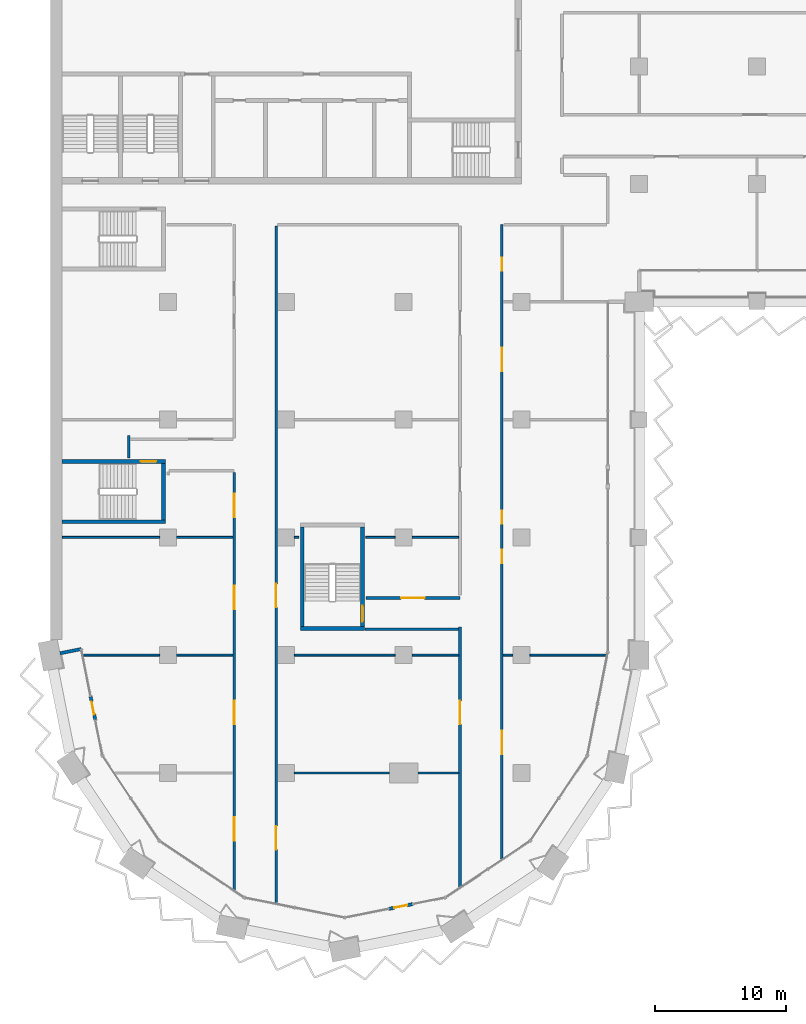
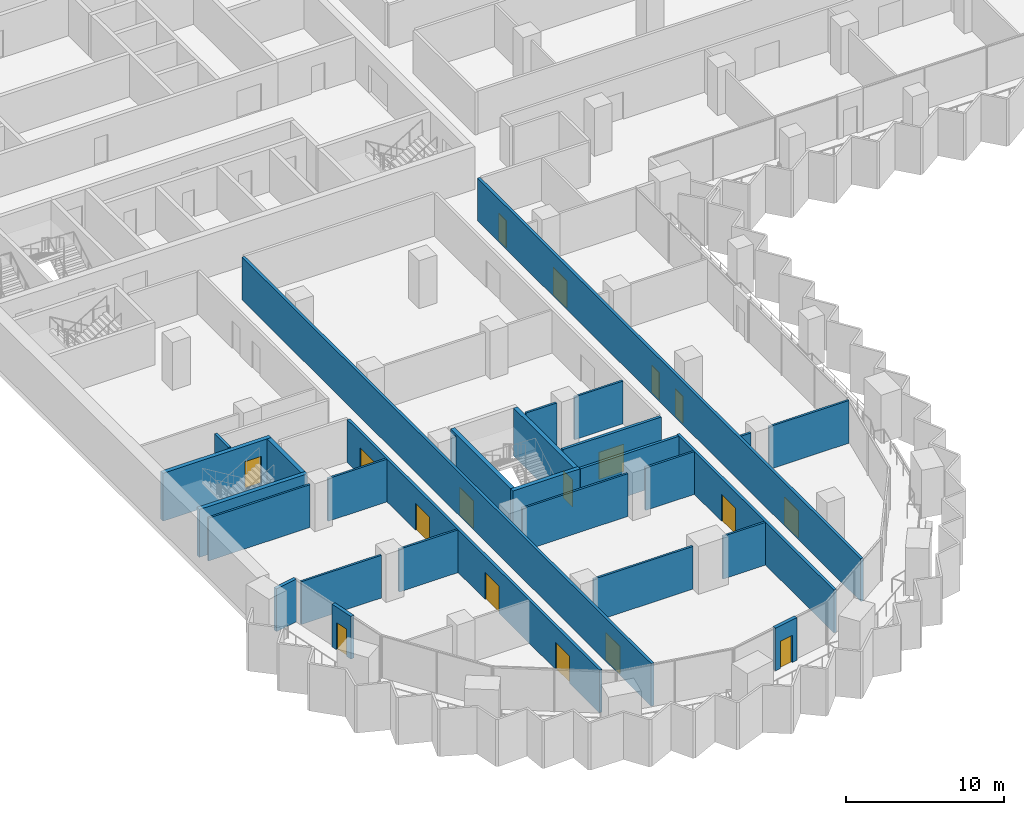
# One storey, part 9 of 23: 29 walls, 17 doors, 17 openings.
"""IFC4 building model written with IfcOpenShell, lengths in metres."""

from ifc_helpers import new_model, si_unit, direction, frame, frame_2d, origin, place, context, subcontext, project, spatial, rectangle, extrude, material, layer, layer_set, type_object, element, fill, save


model = new_model("IFC4")

# Units and contexts
model_context = context("Model", 3, precision=1e-05, world=origin(), true_north=direction((0.0, 1.0)))
body_context = subcontext(model_context, "Body", "Model", "MODEL_VIEW")
ifc_project = project(units=[si_unit("LENGTHUNIT", "METRE"), si_unit("AREAUNIT", "SQUARE_METRE"), si_unit("VOLUMEUNIT", "CUBIC_METRE"), si_unit("PLANEANGLEUNIT", "RADIAN"), si_unit("MASSUNIT", "GRAM", prefix="KILO")], contexts=[model_context])

# Site, building, storey
site_placement = place(None, origin())
site = spatial("IfcSite", under=ifc_project, at=site_placement, CompositionType="ELEMENT")
building_placement = place(site_placement, origin())
building = spatial("IfcBuilding", under=site, at=building_placement, Name="Hunhe Ridgeline Campus", CompositionType="ELEMENT")
storey_placement = place(building_placement, frame((0.0, 0.0, 110.699951171875)))
storey = spatial("IfcBuildingStorey", under=building, at=storey_placement, Name="L27", CompositionType="ELEMENT", Elevation=110.699951171875)

# Walls
ifc_material_1 = material(Name="Concrete C30", Category="concrete")
ifc_layer_1 = layer(ifc_material_1, 0.25)
ifc_layer_set_1 = layer_set([ifc_layer_1], Name="Corner return wall 250 Concrete C30")
wall_type_1 = type_object("IfcWallType", Name="Corner return wall 250 Concrete C30", PredefinedType="SOLIDWALL", material=ifc_layer_set_1)
wall_1_placement = place(storey_placement, frame((0.7353515625, 27.14697265625, 0.0), z_axis=(0.0, 0.0, 1.0), x_axis=(0.980824468215, 0.194893208067, 0.0)))
element("IfcWall", 1, at=wall_1_placement, inside=storey, type_object=wall_type_1, Name="Corner return wall 1", PredefinedType="SOLIDWALL", context=body_context, shape_type="SweptSolid", body=[
    extrude(rectangle(XDim=1.651123046875, YDim=0.25, at=frame_2d((0.82568359375, 0.0))), origin(), (0.0, 0.0, 1.0), 3.300048828125),
])
ifc_material_2 = material(Name="Gypsum board partition")
ifc_layer_2 = layer(ifc_material_2, 0.199951171875)
ifc_layer_set_2 = layer_set([ifc_layer_2], Name="Corridor partition 200 gypsum board on steel studs")
wall_type_2 = type_object("IfcWallType", Name="Corridor partition 200 gypsum board on steel studs", PredefinedType="PARTITIONING", material=ifc_layer_set_2)
wall_2_placement = place(storey_placement, frame((31.199951171875, 28.97509765625, 0.0), z_axis=(0.0, 0.0, 1.0), x_axis=(-1.0, 0.0, 0.0)))
element("IfcWall", 2, at=wall_2_placement, inside=storey, type_object=wall_type_2, Name="F-L27-wall-011", PredefinedType="PARTITIONING", context=body_context, shape_type="SweptSolid", body=[
    extrude(rectangle(XDim=7.169921875, YDim=0.199951171875, at=frame_2d((3.5849609375, 0.0))), origin(), (0.0, 0.0, 1.0), 3.300048828125),
])

# Wall, opening, door
wall_3_placement = place(storey_placement, frame((24.10400390625, 31.375, 0.0), z_axis=(0.0, 0.0, 1.0), x_axis=(1.0, 0.0, 0.0)))
wall_3 = element("IfcWall", 3, at=wall_3_placement, inside=storey, type_object=wall_type_2, Name="F-L27-wall-012", PredefinedType="PARTITIONING", context=body_context, shape_type="SweptSolid", body=[
    extrude(rectangle(XDim=7.196044921875, YDim=0.199951171875, at=frame_2d((3.59814453125, 0.0))), origin(), (0.0, 0.0, 1.0), 3.300048828125),
])
opening_1_placement = place(wall_3_placement, frame((2.697998046875, 0.0, 0.0)))
opening_1 = element("IfcOpeningElement", 4, at=opening_1_placement, cuts=wall_3, Name="Opening RD2-007", PredefinedType="OPENING", context=body_context, shape_type="SweptSolid", body=[
    extrude(rectangle(XDim=1.800048828125, YDim=2.10009765625, at=frame_2d((0.89990234375, 1.050048828125))), frame((0.0, 0.10009765625, 0.0), z_axis=(0.0, -1.0, 0.0), x_axis=(1.0, 0.0, 0.0)), (0.0, 0.0, 1.0), 0.199951171875),
])
ifc_material_3 = material(Name="Timber door leaf", Category="wood")
door_type_1 = type_object("IfcDoorType", Name="Double fire door 1800x2100 timber FD60", OperationType="DOUBLE_DOOR_SINGLE_SWING", PredefinedType="DOOR", material=ifc_material_3)
door_1_placement = place(opening_1_placement, origin())
door_1 = element("IfcDoor", 5, at=door_1_placement, inside=storey, type_object=door_type_1, Name="F-L27-door-007", OperationType="DOUBLE_DOOR_SINGLE_SWING", OverallHeight=2.10009765625, OverallWidth=1.800048828125, PredefinedType="DOOR", context=body_context, shape_type="SweptSolid", body=[
    extrude(rectangle(XDim=1.800048828125, YDim=2.10009765625, at=frame_2d((0.89990234375, 1.050048828125))), frame((0.0, 0.02490234375, 0.0), z_axis=(0.0, -1.0, 0.0), x_axis=(1.0, 0.0, 0.0)), (0.0, 0.0, 1.0), 0.050048828125),
])
fill(opening_1, door_1)

# Wall
wall_4_placement = place(storey_placement, frame((6.0, 42.053955078125, 0.0), z_axis=(0.0, 0.0, 1.0), x_axis=(0.0, 1.0, 0.0)))
element("IfcWall", 6, at=wall_4_placement, inside=storey, type_object=wall_type_2, Name="F-L27-wall-039", PredefinedType="PARTITIONING", context=body_context, shape_type="SweptSolid", body=[
    extrude(rectangle(XDim=1.74609375, YDim=0.199951171875, at=frame_2d((0.873046875, 0.0))), origin(), (0.0, 0.0, 1.0), 3.300048828125),
])

# Wall, openings, doors
wall_5_placement = place(storey_placement, frame((14.050048828125, 9.05810546875, 0.0), z_axis=(0.0, 0.0, 1.0), x_axis=(0.0, 1.0, 0.0)))
wall_5 = element("IfcWall", 7, at=wall_5_placement, inside=storey, type_object=wall_type_2, Name="F-L27-wall-041", PredefinedType="PARTITIONING", context=body_context, shape_type="SweptSolid", body=[
    extrude(rectangle(XDim=31.90087890625, YDim=0.199951171875, at=frame_2d((15.950439453125, 0.0))), origin(), (0.0, 0.0, 1.0), 3.300048828125),
])
opening_2_placement = place(wall_5_placement, frame((3.7470703125, 0.0, 0.0)))
opening_2 = element("IfcOpeningElement", 8, at=opening_2_placement, cuts=wall_5, Name="Opening RD2-002", PredefinedType="OPENING", context=body_context, shape_type="SweptSolid", body=[
    extrude(rectangle(XDim=1.800048828125, YDim=2.10009765625, at=frame_2d((0.89990234375, 1.050048828125))), frame((0.0, 0.10009765625, 0.0), z_axis=(0.0, -1.0, 0.0), x_axis=(1.0, 0.0, 0.0)), (0.0, 0.0, 1.0), 0.199951171875),
])
opening_3_placement = place(wall_5_placement, frame((12.6640625, 0.0, 0.0)))
opening_3 = element("IfcOpeningElement", 9, at=opening_3_placement, cuts=wall_5, Name="Opening RD2-004", PredefinedType="OPENING", context=body_context, shape_type="SweptSolid", body=[
    extrude(rectangle(XDim=1.800048828125, YDim=2.10009765625, at=frame_2d((0.89990234375, 1.050048828125))), frame((0.0, 0.10009765625, 0.0), z_axis=(0.0, -1.0, 0.0), x_axis=(1.0, 0.0, 0.0)), (0.0, 0.0, 1.0), 0.199951171875),
])
opening_4_placement = place(wall_5_placement, frame((21.455810546875, 0.0, 0.0)))
opening_4 = element("IfcOpeningElement", 10, at=opening_4_placement, cuts=wall_5, Name="Opening RD2-006", PredefinedType="OPENING", context=body_context, shape_type="SweptSolid", body=[
    extrude(rectangle(XDim=1.800048828125, YDim=2.10009765625, at=frame_2d((0.89990234375, 1.050048828125))), frame((0.0, 0.10009765625, 0.0), z_axis=(0.0, -1.0, 0.0), x_axis=(1.0, 0.0, 0.0)), (0.0, 0.0, 1.0), 0.199951171875),
])
opening_5_placement = place(wall_5_placement, frame((28.489013671875, 0.0, 0.0)))
opening_5 = element("IfcOpeningElement", 11, at=opening_5_placement, cuts=wall_5, Name="Opening RD2-011", PredefinedType="OPENING", context=body_context, shape_type="SweptSolid", body=[
    extrude(rectangle(XDim=1.800048828125, YDim=2.10009765625, at=frame_2d((0.89990234375, 1.050048828125))), frame((0.0, 0.10009765625, 0.0), z_axis=(0.0, -1.0, 0.0), x_axis=(1.0, 0.0, 0.0)), (0.0, 0.0, 1.0), 0.199951171875),
])
door_2_placement = place(opening_2_placement, origin())
door_2 = element("IfcDoor", 12, at=door_2_placement, inside=storey, type_object=door_type_1, Name="F-L27-door-002", OperationType="DOUBLE_DOOR_SINGLE_SWING", OverallHeight=2.10009765625, OverallWidth=1.800048828125, PredefinedType="DOOR", context=body_context, shape_type="SweptSolid", body=[
    extrude(rectangle(XDim=1.800048828125, YDim=2.10009765625, at=frame_2d((0.89990234375, 1.050048828125))), frame((0.0, 0.02490234375, 0.0), z_axis=(0.0, -1.0, 0.0), x_axis=(1.0, 0.0, 0.0)), (0.0, 0.0, 1.0), 0.050048828125),
])
fill(opening_2, door_2)
door_3_placement = place(opening_3_placement, origin())
door_3 = element("IfcDoor", 13, at=door_3_placement, inside=storey, type_object=door_type_1, Name="F-L27-door-004", OperationType="DOUBLE_DOOR_SINGLE_SWING", OverallHeight=2.10009765625, OverallWidth=1.800048828125, PredefinedType="DOOR", context=body_context, shape_type="SweptSolid", body=[
    extrude(rectangle(XDim=1.800048828125, YDim=2.10009765625, at=frame_2d((0.89990234375, 1.050048828125))), frame((0.0, 0.02490234375, 0.0), z_axis=(0.0, -1.0, 0.0), x_axis=(1.0, 0.0, 0.0)), (0.0, 0.0, 1.0), 0.050048828125),
])
fill(opening_3, door_3)
door_4_placement = place(opening_4_placement, origin())
door_4 = element("IfcDoor", 14, at=door_4_placement, inside=storey, type_object=door_type_1, Name="F-L27-door-006", OperationType="DOUBLE_DOOR_SINGLE_SWING", OverallHeight=2.10009765625, OverallWidth=1.800048828125, PredefinedType="DOOR", context=body_context, shape_type="SweptSolid", body=[
    extrude(rectangle(XDim=1.800048828125, YDim=2.10009765625, at=frame_2d((0.89990234375, 1.050048828125))), frame((0.0, 0.02490234375, 0.0), z_axis=(0.0, -1.0, 0.0), x_axis=(1.0, 0.0, 0.0)), (0.0, 0.0, 1.0), 0.050048828125),
])
fill(opening_4, door_4)
door_5_placement = place(opening_5_placement, origin())
door_5 = element("IfcDoor", 15, at=door_5_placement, inside=storey, type_object=door_type_1, Name="F-L27-door-011", OperationType="DOUBLE_DOOR_SINGLE_SWING", OverallHeight=2.10009765625, OverallWidth=1.800048828125, PredefinedType="DOOR", context=body_context, shape_type="SweptSolid", body=[
    extrude(rectangle(XDim=1.800048828125, YDim=2.10009765625, at=frame_2d((0.89990234375, 1.050048828125))), frame((0.0, 0.02490234375, 0.0), z_axis=(0.0, -1.0, 0.0), x_axis=(1.0, 0.0, 0.0)), (0.0, 0.0, 1.0), 0.050048828125),
])
fill(opening_5, door_5)

wall_6_placement = place(storey_placement, frame((17.25, 59.800048828125, 0.0), z_axis=(0.0, 0.0, 1.0), x_axis=(0.0, -1.0, 0.0)))
wall_6 = element("IfcWall", 16, at=wall_6_placement, inside=storey, type_object=wall_type_2, Name="F-L27-wall-043", PredefinedType="PARTITIONING", context=body_context, shape_type="SweptSolid", body=[
    extrude(rectangle(XDim=51.752685546875, YDim=0.199951171875, at=frame_2d((25.87646484375, 0.0))), origin(), (0.0, 0.0, 1.0), 3.300048828125),
])
opening_6_placement = place(wall_6_placement, frame((45.852294921875, 0.0, 0.0)))
opening_6 = element("IfcOpeningElement", 17, at=opening_6_placement, cuts=wall_6, Name="Opening RD2-001", PredefinedType="OPENING", context=body_context, shape_type="SweptSolid", body=[
    extrude(rectangle(XDim=1.800048828125, YDim=2.10009765625, at=frame_2d((0.89990234375, 1.050048828125))), frame((0.0, 0.10009765625, 0.0), z_axis=(0.0, -1.0, 0.0), x_axis=(1.0, 0.0, 0.0)), (0.0, 0.0, 1.0), 0.199951171875),
])
opening_7_placement = place(wall_6_placement, frame((27.351318359375, 0.0, 0.0)))
opening_7 = element("IfcOpeningElement", 18, at=opening_7_placement, cuts=wall_6, Name="Opening RD2-008", PredefinedType="OPENING", context=body_context, shape_type="SweptSolid", body=[
    extrude(rectangle(XDim=1.800048828125, YDim=2.10009765625, at=frame_2d((0.89990234375, 1.050048828125))), frame((0.0, 0.10009765625, 0.0), z_axis=(0.0, -1.0, 0.0), x_axis=(1.0, 0.0, 0.0)), (0.0, 0.0, 1.0), 0.199951171875),
])
door_6_placement = place(opening_6_placement, origin())
door_6 = element("IfcDoor", 19, at=door_6_placement, inside=storey, type_object=door_type_1, Name="F-L27-door-001", OperationType="DOUBLE_DOOR_SINGLE_SWING", OverallHeight=2.10009765625, OverallWidth=1.800048828125, PredefinedType="DOOR", context=body_context, shape_type="SweptSolid", body=[
    extrude(rectangle(XDim=1.800048828125, YDim=2.10009765625, at=frame_2d((0.89990234375, 1.050048828125))), frame((0.0, 0.02490234375, 0.0), z_axis=(0.0, -1.0, 0.0), x_axis=(1.0, 0.0, 0.0)), (0.0, 0.0, 1.0), 0.050048828125),
])
fill(opening_6, door_6)
door_7_placement = place(opening_7_placement, origin())
door_7 = element("IfcDoor", 20, at=door_7_placement, inside=storey, type_object=door_type_1, Name="F-L27-door-008", OperationType="DOUBLE_DOOR_SINGLE_SWING", OverallHeight=2.10009765625, OverallWidth=1.800048828125, PredefinedType="DOOR", context=body_context, shape_type="SweptSolid", body=[
    extrude(rectangle(XDim=1.800048828125, YDim=2.10009765625, at=frame_2d((0.89990234375, 1.050048828125))), frame((0.0, 0.02490234375, 0.0), z_axis=(0.0, -1.0, 0.0), x_axis=(1.0, 0.0, 0.0)), (0.0, 0.0, 1.0), 0.050048828125),
])
fill(opening_7, door_7)

# Wall, opening, door
wall_7_placement = place(storey_placement, frame((31.300048828125, 9.2919921875, 0.0), z_axis=(0.0, 0.0, 1.0), x_axis=(0.0, 1.0, 0.0)))
wall_7 = element("IfcWall", 21, at=wall_7_placement, inside=storey, type_object=wall_type_2, Name="F-L27-wall-044", PredefinedType="PARTITIONING", context=body_context, shape_type="SweptSolid", body=[
    extrude(rectangle(XDim=19.84619140625, YDim=0.199951171875, at=frame_2d((9.923095703125, 0.0))), origin(), (0.0, 0.0, 1.0), 3.300048828125),
])
opening_8_placement = place(wall_7_placement, frame((12.41455078125, 0.0, 0.0)))
opening_8 = element("IfcOpeningElement", 22, at=opening_8_placement, cuts=wall_7, Name="Opening RD2-005", PredefinedType="OPENING", context=body_context, shape_type="SweptSolid", body=[
    extrude(rectangle(XDim=1.800048828125, YDim=2.10009765625, at=frame_2d((0.89990234375, 1.050048828125))), frame((0.0, 0.10009765625, 0.0), z_axis=(0.0, -1.0, 0.0), x_axis=(1.0, 0.0, 0.0)), (0.0, 0.0, 1.0), 0.199951171875),
])
door_8_placement = place(opening_8_placement, origin())
door_8 = element("IfcDoor", 23, at=door_8_placement, inside=storey, type_object=door_type_1, Name="F-L27-door-005", OperationType="DOUBLE_DOOR_SINGLE_SWING", OverallHeight=2.10009765625, OverallWidth=1.800048828125, PredefinedType="DOOR", context=body_context, shape_type="SweptSolid", body=[
    extrude(rectangle(XDim=1.800048828125, YDim=2.10009765625, at=frame_2d((0.89990234375, 1.050048828125))), frame((0.0, 0.02490234375, 0.0), z_axis=(0.0, -1.0, 0.0), x_axis=(1.0, 0.0, 0.0)), (0.0, 0.0, 1.0), 0.050048828125),
])
fill(opening_8, door_8)

# Wall, openings, doors
wall_8_placement = place(storey_placement, frame((34.5, 59.89990234375, 0.0), z_axis=(0.0, 0.0, 1.0), x_axis=(0.0, -1.0, 0.0)))
wall_8 = element("IfcWall", 24, at=wall_8_placement, inside=storey, type_object=wall_type_2, Name="F-L27-wall-046", PredefinedType="PARTITIONING", context=body_context, shape_type="SweptSolid", body=[
    extrude(rectangle(XDim=48.4697265625, YDim=0.199951171875, at=frame_2d((24.23486328125, 0.0))), origin(), (0.0, 0.0, 1.0), 3.300048828125),
])
opening_9_placement = place(wall_8_placement, frame((38.658935546875, 0.0, 0.0)))
opening_9 = element("IfcOpeningElement", 25, at=opening_9_placement, cuts=wall_8, Name="Opening RD2-003", PredefinedType="OPENING", context=body_context, shape_type="SweptSolid", body=[
    extrude(rectangle(XDim=1.800048828125, YDim=2.10009765625, at=frame_2d((0.89990234375, 1.050048828125))), frame((0.0, 0.10009765625, 0.0), z_axis=(0.0, -1.0, 0.0), x_axis=(1.0, 0.0, 0.0)), (0.0, 0.0, 1.0), 0.199951171875),
])
opening_10_placement = place(wall_8_placement, frame((24.858154296875, 0.0, 0.0)))
opening_10 = element("IfcOpeningElement", 26, at=opening_10_placement, cuts=wall_8, Name="Opening RD1-009", PredefinedType="OPENING", context=body_context, shape_type="SweptSolid", body=[
    extrude(rectangle(XDim=1.0, YDim=2.10009765625, at=frame_2d((0.5, 1.050048828125))), frame((0.0, 0.10009765625, 0.0), z_axis=(0.0, -1.0, 0.0), x_axis=(1.0, 0.0, 0.0)), (0.0, 0.0, 1.0), 0.199951171875),
])
opening_11_placement = place(wall_8_placement, frame((21.858154296875, 0.0, 0.0)))
opening_11 = element("IfcOpeningElement", 27, at=opening_11_placement, cuts=wall_8, Name="Opening RD1-010", PredefinedType="OPENING", context=body_context, shape_type="SweptSolid", body=[
    extrude(rectangle(XDim=1.0, YDim=2.10009765625, at=frame_2d((0.5, 1.050048828125))), frame((0.0, 0.10009765625, 0.0), z_axis=(0.0, -1.0, 0.0), x_axis=(1.0, 0.0, 0.0)), (0.0, 0.0, 1.0), 0.199951171875),
])
opening_12_placement = place(wall_8_placement, frame((9.396728515625, 0.0, 0.0)))
opening_12 = element("IfcOpeningElement", 28, at=opening_12_placement, cuts=wall_8, Name="Opening RD2-014", PredefinedType="OPENING", context=body_context, shape_type="SweptSolid", body=[
    extrude(rectangle(XDim=1.800048828125, YDim=2.10009765625, at=frame_2d((0.89990234375, 1.050048828125))), frame((0.0, 0.10009765625, 0.0), z_axis=(0.0, -1.0, 0.0), x_axis=(1.0, 0.0, 0.0)), (0.0, 0.0, 1.0), 0.199951171875),
])
opening_13_placement = place(wall_8_placement, frame((2.513671875, 0.0, 0.0)))
opening_13 = element("IfcOpeningElement", 29, at=opening_13_placement, cuts=wall_8, Name="Opening RD1-018", PredefinedType="OPENING", context=body_context, shape_type="SweptSolid", body=[
    extrude(rectangle(XDim=1.0, YDim=2.10009765625, at=frame_2d((0.5, 1.050048828125))), frame((0.0, 0.10009765625, 0.0), z_axis=(0.0, -1.0, 0.0), x_axis=(1.0, 0.0, 0.0)), (0.0, 0.0, 1.0), 0.199951171875),
])
door_9_placement = place(opening_9_placement, origin())
door_9 = element("IfcDoor", 30, at=door_9_placement, inside=storey, type_object=door_type_1, Name="F-L27-door-003", OperationType="DOUBLE_DOOR_SINGLE_SWING", OverallHeight=2.10009765625, OverallWidth=1.800048828125, PredefinedType="DOOR", context=body_context, shape_type="SweptSolid", body=[
    extrude(rectangle(XDim=1.800048828125, YDim=2.10009765625, at=frame_2d((0.89990234375, 1.050048828125))), frame((0.0, 0.02490234375, 0.0), z_axis=(0.0, -1.0, 0.0), x_axis=(1.0, 0.0, 0.0)), (0.0, 0.0, 1.0), 0.050048828125),
])
fill(opening_9, door_9)
door_10_placement = place(opening_12_placement, origin())
door_10 = element("IfcDoor", 31, at=door_10_placement, inside=storey, type_object=door_type_1, Name="F-L27-door-014", OperationType="DOUBLE_DOOR_SINGLE_SWING", OverallHeight=2.10009765625, OverallWidth=1.800048828125, PredefinedType="DOOR", context=body_context, shape_type="SweptSolid", body=[
    extrude(rectangle(XDim=1.800048828125, YDim=2.10009765625, at=frame_2d((0.89990234375, 1.050048828125))), frame((0.0, 0.02490234375, 0.0), z_axis=(0.0, -1.0, 0.0), x_axis=(1.0, 0.0, 0.0)), (0.0, 0.0, 1.0), 0.050048828125),
])
fill(opening_12, door_10)
door_type_2 = type_object("IfcDoorType", Name="Single fire door 1000x2100 timber FD60", OperationType="NOTDEFINED", PredefinedType="DOOR", material=ifc_material_3)
door_11_placement = place(opening_10_placement, frame((1.0, 0.0, 0.0), z_axis=(0.0, 0.0, 1.0), x_axis=(-1.0, 0.0, 0.0)))
door_11 = element("IfcDoor", 32, at=door_11_placement, inside=storey, type_object=door_type_2, Name="F-L27-door-009", OperationType="SINGLE_SWING_LEFT", OverallHeight=2.10009765625, OverallWidth=1.0, PredefinedType="DOOR", context=body_context, shape_type="SweptSolid", body=[
    extrude(rectangle(XDim=1.0, YDim=2.10009765625, at=frame_2d((0.5, 1.050048828125))), frame((0.0, 0.02490234375, 0.0), z_axis=(0.0, -1.0, 0.0), x_axis=(1.0, 0.0, 0.0)), (0.0, 0.0, 1.0), 0.050048828125),
])
fill(opening_10, door_11)
door_12_placement = place(opening_11_placement, frame((1.0, 0.0, 0.0), z_axis=(0.0, 0.0, 1.0), x_axis=(-1.0, 0.0, 0.0)))
door_12 = element("IfcDoor", 33, at=door_12_placement, inside=storey, type_object=door_type_2, Name="F-L27-door-010", OperationType="SINGLE_SWING_RIGHT", OverallHeight=2.10009765625, OverallWidth=1.0, PredefinedType="DOOR", context=body_context, shape_type="SweptSolid", body=[
    extrude(rectangle(XDim=1.0, YDim=2.10009765625, at=frame_2d((0.5, 1.050048828125))), frame((0.0, 0.02490234375, 0.0), z_axis=(0.0, -1.0, 0.0), x_axis=(1.0, 0.0, 0.0)), (0.0, 0.0, 1.0), 0.050048828125),
])
fill(opening_11, door_12)
door_13_placement = place(opening_13_placement, origin())
door_13 = element("IfcDoor", 34, at=door_13_placement, inside=storey, type_object=door_type_2, Name="F-L27-door-018", OperationType="SINGLE_SWING_LEFT", OverallHeight=2.10009765625, OverallWidth=1.0, PredefinedType="DOOR", context=body_context, shape_type="SweptSolid", body=[
    extrude(rectangle(XDim=1.0, YDim=2.10009765625, at=frame_2d((0.5, 1.050048828125))), frame((0.0, 0.02490234375, 0.0), z_axis=(0.0, -1.0, 0.0), x_axis=(1.0, 0.0, 0.0)), (0.0, 0.0, 1.0), 0.050048828125),
])
fill(opening_13, door_13)

# Wall, opening, door
ifc_layer_3 = layer(ifc_material_1, 0.25)
ifc_layer_set_3 = layer_set([ifc_layer_3], Name="Loggia door pier wall 250 Concrete C30")
wall_type_3 = type_object("IfcWallType", Name="Loggia door pier wall 250 Concrete C30", PredefinedType="SOLIDWALL", material=ifc_layer_set_3)
wall_9_placement = place(storey_placement, frame((3.076904296875, 23.8388671875, 0.0), z_axis=(0.0, 0.0, 1.0), x_axis=(0.195046569833, -0.980793982239, 0.0)))
wall_9 = element("IfcWall", 35, at=wall_9_placement, inside=storey, type_object=wall_type_3, Name="Loggia door pier 1", PredefinedType="SOLIDWALL", context=body_context, shape_type="SweptSolid", body=[
    extrude(rectangle(XDim=1.800048828125, YDim=0.25, at=frame_2d((0.89990234375, 0.0))), origin(), (0.0, 0.0, 1.0), 3.300048828125),
])
opening_14_placement = place(wall_9_placement, frame((0.39990234375, 0.0, 0.0)))
opening_14 = element("IfcOpeningElement", 36, at=opening_14_placement, cuts=wall_9, Name="Opening BD201", PredefinedType="OPENING", context=body_context, shape_type="SweptSolid", body=[
    extrude(rectangle(XDim=1.0, YDim=2.10009765625, at=frame_2d((0.5, 1.050048828125))), frame((0.0, 0.125, 0.0), z_axis=(0.0, -1.0, 0.0), x_axis=(1.0, 0.0, 0.0)), (0.0, 0.0, 1.0), 0.25),
])
ifc_material_4 = material(Name="Aluminium 6063", Category="aluminium")
door_type_3 = type_object("IfcDoorType", Name="Loggia glazed door 1000x2100", OperationType="NOTDEFINED", PredefinedType="DOOR", material=ifc_material_4)
door_14_placement = place(opening_14_placement, frame((1.0, 0.0, 0.0), z_axis=(0.0, 0.0, 1.0), x_axis=(-1.0, 0.0, 0.0)))
door_14 = element("IfcDoor", 37, at=door_14_placement, inside=storey, type_object=door_type_3, Name="Loggia door BD201", OperationType="SINGLE_SWING_RIGHT", OverallHeight=2.10009765625, OverallWidth=1.0, PredefinedType="DOOR", context=body_context, shape_type="SweptSolid", body=[
    extrude(rectangle(XDim=1.0, YDim=2.10009765625, at=frame_2d((0.5, 1.050048828125))), frame((0.0, 0.02490234375, 0.0), z_axis=(0.0, -1.0, 0.0), x_axis=(1.0, 0.0, 0.0)), (0.0, 0.0, 1.0), 0.050048828125),
])
fill(opening_14, door_14)

wall_10_placement = place(storey_placement, frame((25.8955078125, 7.62353515625, 0.0), z_axis=(0.0, 0.0, 1.0), x_axis=(0.980793982239, 0.195046569833, 0.0)))
wall_10 = element("IfcWall", 38, at=wall_10_placement, inside=storey, type_object=wall_type_3, Name="Loggia door pier 2", PredefinedType="SOLIDWALL", context=body_context, shape_type="SweptSolid", body=[
    extrude(rectangle(XDim=1.800048828125, YDim=0.25, at=frame_2d((0.89990234375, 0.0))), origin(), (0.0, 0.0, 1.0), 3.300048828125),
])
opening_15_placement = place(wall_10_placement, frame((0.39990234375, 0.0, 0.0)))
opening_15 = element("IfcOpeningElement", 39, at=opening_15_placement, cuts=wall_10, Name="Opening BD203", PredefinedType="OPENING", context=body_context, shape_type="SweptSolid", body=[
    extrude(rectangle(XDim=1.0, YDim=2.10009765625, at=frame_2d((0.5, 1.050048828125))), frame((0.0, 0.125, 0.0), z_axis=(0.0, -1.0, 0.0), x_axis=(1.0, 0.0, 0.0)), (0.0, 0.0, 1.0), 0.25),
])
door_15_placement = place(opening_15_placement, frame((1.0, 0.0, 0.0), z_axis=(0.0, 0.0, 1.0), x_axis=(-1.0, 0.0, 0.0)))
door_15 = element("IfcDoor", 40, at=door_15_placement, inside=storey, type_object=door_type_3, Name="Loggia door BD203", OperationType="SINGLE_SWING_RIGHT", OverallHeight=2.10009765625, OverallWidth=1.0, PredefinedType="DOOR", context=body_context, shape_type="SweptSolid", body=[
    extrude(rectangle(XDim=1.0, YDim=2.10009765625, at=frame_2d((0.5, 1.050048828125))), frame((0.0, 0.02490234375, 0.0), z_axis=(0.0, -1.0, 0.0), x_axis=(1.0, 0.0, 0.0)), (0.0, 0.0, 1.0), 0.050048828125),
])
fill(opening_15, door_15)

# Walls
ifc_layer_4 = layer(ifc_material_2, 0.14990234375)
ifc_layer_set_4 = layer_set([ifc_layer_4], Name="Room partition 150 gypsum board on steel studs")
wall_type_4 = type_object("IfcWallType", Name="Room partition 150 gypsum board on steel studs", PredefinedType="PARTITIONING", material=ifc_layer_set_4)
wall_11_placement = place(storey_placement, frame((18.64990234375, 18.0, 0.0), z_axis=(0.0, 0.0, 1.0), x_axis=(1.0, 0.0, 0.0)))
element("IfcWall", 41, at=wall_11_placement, inside=storey, type_object=wall_type_4, Name="F-L27-wall-003", PredefinedType="PARTITIONING", context=body_context, shape_type="SweptSolid", body=[
    extrude(rectangle(XDim=7.25, YDim=0.14990234375, at=frame_2d((3.625, 0.0))), origin(), (0.0, 0.0, 1.0), 3.300048828125),
])
wall_12_placement = place(storey_placement, frame((28.10009765625, 18.0, 0.0), z_axis=(0.0, 0.0, 1.0), x_axis=(1.0, 0.0, 0.0)))
element("IfcWall", 42, at=wall_12_placement, inside=storey, type_object=wall_type_4, Name="F-L27-wall-004", PredefinedType="PARTITIONING", context=body_context, shape_type="SweptSolid", body=[
    extrude(rectangle(XDim=3.099853515625, YDim=0.14990234375, at=frame_2d((1.5498046875, 0.0))), origin(), (0.0, 0.0, 1.0), 3.300048828125),
])
wall_13_placement = place(storey_placement, frame((2.503173828125, 27.0, 0.0), z_axis=(0.0, 0.0, 1.0), x_axis=(1.0, 0.0, 0.0)))
element("IfcWall", 43, at=wall_13_placement, inside=storey, type_object=wall_type_4, Name="F-L27-wall-005", PredefinedType="PARTITIONING", context=body_context, shape_type="SweptSolid", body=[
    extrude(rectangle(XDim=5.846923828125, YDim=0.14990234375, at=frame_2d((2.92333984375, 0.0))), origin(), (0.0, 0.0, 1.0), 3.300048828125),
])
wall_14_placement = place(storey_placement, frame((9.64990234375, 27.0, 0.0), z_axis=(0.0, 0.0, 1.0), x_axis=(1.0, 0.0, 0.0)))
element("IfcWall", 44, at=wall_14_placement, inside=storey, type_object=wall_type_4, Name="F-L27-wall-006", PredefinedType="PARTITIONING", context=body_context, shape_type="SweptSolid", body=[
    extrude(rectangle(XDim=4.300048828125, YDim=0.14990234375, at=frame_2d((2.14990234375, 0.0))), origin(), (0.0, 0.0, 1.0), 3.300048828125),
])
wall_15_placement = place(storey_placement, frame((18.64990234375, 27.0, 0.0), z_axis=(0.0, 0.0, 1.0), x_axis=(1.0, 0.0, 0.0)))
element("IfcWall", 45, at=wall_15_placement, inside=storey, type_object=wall_type_4, Name="F-L27-wall-007", PredefinedType="PARTITIONING", context=body_context, shape_type="SweptSolid", body=[
    extrude(rectangle(XDim=7.7001953125, YDim=0.14990234375, at=frame_2d((3.85009765625, 0.0))), origin(), (0.0, 0.0, 1.0), 3.300048828125),
])
wall_16_placement = place(storey_placement, frame((27.64990234375, 27.0, 0.0), z_axis=(0.0, 0.0, 1.0), x_axis=(1.0, 0.0, 0.0)))
element("IfcWall", 46, at=wall_16_placement, inside=storey, type_object=wall_type_4, Name="F-L27-wall-008", PredefinedType="PARTITIONING", context=body_context, shape_type="SweptSolid", body=[
    extrude(rectangle(XDim=3.550048828125, YDim=0.14990234375, at=frame_2d((1.77490234375, 0.0))), origin(), (0.0, 0.0, 1.0), 3.300048828125),
])
wall_17_placement = place(storey_placement, frame((34.60009765625, 27.0, 0.0), z_axis=(0.0, 0.0, 1.0), x_axis=(1.0, 0.0, 0.0)))
element("IfcWall", 47, at=wall_17_placement, inside=storey, type_object=wall_type_4, Name="F-L27-wall-009", PredefinedType="PARTITIONING", context=body_context, shape_type="SweptSolid", body=[
    extrude(rectangle(XDim=0.75, YDim=0.14990234375, at=frame_2d((0.375, 0.0))), origin(), (0.0, 0.0, 1.0), 3.300048828125),
])
wall_18_placement = place(storey_placement, frame((36.64990234375, 27.0, 0.0), z_axis=(0.0, 0.0, 1.0), x_axis=(1.0, 0.0, 0.0)))
element("IfcWall", 48, at=wall_18_placement, inside=storey, type_object=wall_type_4, Name="F-L27-wall-010", PredefinedType="PARTITIONING", context=body_context, shape_type="SweptSolid", body=[
    extrude(rectangle(XDim=5.846923828125, YDim=0.14990234375, at=frame_2d((2.92333984375, 0.0))), origin(), (0.0, 0.0, 1.0), 3.300048828125),
])
wall_19_placement = place(storey_placement, frame((0.919921875, 36.0, 0.0), z_axis=(0.0, 0.0, 1.0), x_axis=(1.0, 0.0, 0.0)))
element("IfcWall", 49, at=wall_19_placement, inside=storey, type_object=wall_type_4, Name="F-L27-wall-013", PredefinedType="PARTITIONING", context=body_context, shape_type="SweptSolid", body=[
    extrude(rectangle(XDim=7.43017578125, YDim=0.14990234375, at=frame_2d((3.715087890625, 0.0))), origin(), (0.0, 0.0, 1.0), 3.300048828125),
])
wall_20_placement = place(storey_placement, frame((9.64990234375, 36.0, 0.0), z_axis=(0.0, 0.0, 1.0), x_axis=(1.0, 0.0, 0.0)))
element("IfcWall", 50, at=wall_20_placement, inside=storey, type_object=wall_type_4, Name="F-L27-wall-014", PredefinedType="PARTITIONING", context=body_context, shape_type="SweptSolid", body=[
    extrude(rectangle(XDim=4.300048828125, YDim=0.14990234375, at=frame_2d((2.14990234375, 0.0))), origin(), (0.0, 0.0, 1.0), 3.300048828125),
])
wall_21_placement = place(storey_placement, frame((18.64990234375, 36.0, 0.0), z_axis=(0.0, 0.0, 1.0), x_axis=(1.0, 0.0, 0.0)))
element("IfcWall", 51, at=wall_21_placement, inside=storey, type_object=wall_type_4, Name="F-L27-wall-015", PredefinedType="PARTITIONING", context=body_context, shape_type="SweptSolid", body=[
    extrude(rectangle(XDim=0.34619140625, YDim=0.14990234375, at=frame_2d((0.173095703125, 0.0))), origin(), (0.0, 0.0, 1.0), 3.300048828125),
])
wall_22_placement = place(storey_placement, frame((24.10400390625, 36.0, 0.0), z_axis=(0.0, 0.0, 1.0), x_axis=(1.0, 0.0, 0.0)))
element("IfcWall", 52, at=wall_22_placement, inside=storey, type_object=wall_type_4, Name="F-L27-wall-016", PredefinedType="PARTITIONING", context=body_context, shape_type="SweptSolid", body=[
    extrude(rectangle(XDim=2.24609375, YDim=0.14990234375, at=frame_2d((1.123046875, 0.0))), origin(), (0.0, 0.0, 1.0), 3.300048828125),
])
wall_23_placement = place(storey_placement, frame((27.64990234375, 36.0, 0.0), z_axis=(0.0, 0.0, 1.0), x_axis=(1.0, 0.0, 0.0)))
element("IfcWall", 53, at=wall_23_placement, inside=storey, type_object=wall_type_4, Name="F-L27-wall-017", PredefinedType="PARTITIONING", context=body_context, shape_type="SweptSolid", body=[
    extrude(rectangle(XDim=3.550048828125, YDim=0.14990234375, at=frame_2d((1.77490234375, 0.0))), origin(), (0.0, 0.0, 1.0), 3.300048828125),
])
ifc_material_5 = material(Name="Concrete C80", Category="concrete")
ifc_layer_5 = layer(ifc_material_5, 0.300048828125)
ifc_layer_set_5 = layer_set([ifc_layer_5], Name="Stair wall 300 reinforced concrete C80")
wall_type_5 = type_object("IfcWallType", Name="Stair wall 300 reinforced concrete C80", PredefinedType="SOLIDWALL", material=ifc_layer_set_5)
wall_24_placement = place(storey_placement, frame((19.10009765625, 29.050048828125, -0.39990234375), z_axis=(0.0, 0.0, 1.0), x_axis=(1.0, 0.0, 0.0)))
element("IfcWall", 54, at=wall_24_placement, inside=storey, type_object=wall_type_5, Name="L27 core wall 1", PredefinedType="SOLIDWALL", context=body_context, shape_type="SweptSolid", body=[
    extrude(rectangle(XDim=4.89990234375, YDim=0.300048828125, at=frame_2d((2.449951171875, 0.0))), origin(), (0.0, 0.0, 1.0), 3.699951171875),
])
wall_25_placement = place(storey_placement, frame((0.89990234375, 37.199951171875, -0.39990234375), z_axis=(0.0, 0.0, 1.0), x_axis=(1.0, 0.0, 0.0)))
element("IfcWall", 55, at=wall_25_placement, inside=storey, type_object=wall_type_5, Name="L27 core wall 3", PredefinedType="SOLIDWALL", context=body_context, shape_type="SweptSolid", body=[
    extrude(rectangle(XDim=7.900146484375, YDim=0.300048828125, at=frame_2d((3.9501953125, 0.0))), origin(), (0.0, 0.0, 1.0), 3.699951171875),
])

# Wall, opening, door
wall_26_placement = place(storey_placement, frame((0.89990234375, 41.800048828125, -0.39990234375), z_axis=(0.0, 0.0, 1.0), x_axis=(1.0, 0.0, 0.0)))
wall_26 = element("IfcWall", 56, at=wall_26_placement, inside=storey, type_object=wall_type_5, Name="L27 core wall 4", PredefinedType="SOLIDWALL", context=body_context, shape_type="SweptSolid", body=[
    extrude(rectangle(XDim=7.900146484375, YDim=0.300048828125, at=frame_2d((3.9501953125, 0.0))), origin(), (0.0, 0.0, 1.0), 3.699951171875),
])
opening_16_placement = place(wall_26_placement, frame((6.0, 0.0, 0.39990234375)))
opening_16 = element("IfcOpeningElement", 57, at=opening_16_placement, cuts=wall_26, Name="Opening CD21", PredefinedType="OPENING", context=body_context, shape_type="SweptSolid", body=[
    extrude(rectangle(XDim=1.199951171875, YDim=2.10009765625, at=frame_2d((0.60009765625, 1.050048828125))), frame((0.0, 0.14990234375, 0.0), z_axis=(0.0, -1.0, 0.0), x_axis=(1.0, 0.0, 0.0)), (0.0, 0.0, 1.0), 0.300048828125),
])
ifc_material_6 = material(Name="Hollow metal fire door leaf")
door_type_4 = type_object("IfcDoorType", Name="Stair door 1200x2100 FD60", OperationType="SINGLE_SWING_LEFT", PredefinedType="DOOR", material=ifc_material_6)
door_16_placement = place(opening_16_placement, origin())
door_16 = element("IfcDoor", 58, at=door_16_placement, inside=storey, type_object=door_type_4, Name="L27 door W1", OperationType="SINGLE_SWING_RIGHT", OverallHeight=2.10009765625, OverallWidth=1.199951171875, PredefinedType="DOOR", context=body_context, shape_type="SweptSolid", body=[
    extrude(rectangle(XDim=1.199951171875, YDim=2.10009765625, at=frame_2d((0.60009765625, 1.050048828125))), frame((0.0, 0.02490234375, 0.0), z_axis=(0.0, -1.0, 0.0), x_axis=(1.0, 0.0, 0.0)), (0.0, 0.0, 1.0), 0.050048828125),
])
fill(opening_16, door_16)

# Walls
wall_27_placement = place(storey_placement, frame((8.64990234375, 37.35009765625, -0.39990234375), z_axis=(0.0, 0.0, 1.0), x_axis=(0.0, 1.0, 0.0)))
element("IfcWall", 59, at=wall_27_placement, inside=storey, type_object=wall_type_5, Name="L27 core wall 37", PredefinedType="SOLIDWALL", context=body_context, shape_type="SweptSolid", body=[
    extrude(rectangle(XDim=4.2998046875, YDim=0.300048828125, at=frame_2d((2.14990234375, 0.0))), origin(), (0.0, 0.0, 1.0), 3.699951171875),
])
wall_28_placement = place(storey_placement, frame((19.25, 29.199951171875, -0.39990234375), z_axis=(0.0, 0.0, 1.0), x_axis=(0.0, 1.0, 0.0)))
element("IfcWall", 60, at=wall_28_placement, inside=storey, type_object=wall_type_5, Name="L27 core wall 46", PredefinedType="SOLIDWALL", context=body_context, shape_type="SweptSolid", body=[
    extrude(rectangle(XDim=7.60009765625, YDim=0.300048828125, at=frame_2d((3.800048828125, 0.0))), origin(), (0.0, 0.0, 1.0), 3.699951171875),
])

# Wall, opening, door
wall_29_placement = place(storey_placement, frame((23.85009765625, 29.199951171875, -0.39990234375), z_axis=(0.0, 0.0, 1.0), x_axis=(0.0, 1.0, 0.0)))
wall_29 = element("IfcWall", 61, at=wall_29_placement, inside=storey, type_object=wall_type_5, Name="L27 core wall 51", PredefinedType="SOLIDWALL", context=body_context, shape_type="SweptSolid", body=[
    extrude(rectangle(XDim=7.60009765625, YDim=0.300048828125, at=frame_2d((3.800048828125, 0.0))), origin(), (0.0, 0.0, 1.0), 3.699951171875),
])
opening_17_placement = place(wall_29_placement, frame((0.375, 0.0, 0.39990234375)))
opening_17 = element("IfcOpeningElement", 62, at=opening_17_placement, cuts=wall_29, Name="Opening CD23", PredefinedType="OPENING", context=body_context, shape_type="SweptSolid", body=[
    extrude(rectangle(XDim=1.199951171875, YDim=2.10009765625, at=frame_2d((0.60009765625, 1.050048828125))), frame((0.0, 0.14990234375, 0.0), z_axis=(0.0, -1.0, 0.0), x_axis=(1.0, 0.0, 0.0)), (0.0, 0.0, 1.0), 0.300048828125),
])
door_17_placement = place(opening_17_placement, frame((1.199951171875, 0.0, 0.0), z_axis=(0.0, 0.0, 1.0), x_axis=(-1.0, 0.0, 0.0)))
door_17 = element("IfcDoor", 63, at=door_17_placement, inside=storey, type_object=door_type_4, Name="L27 door W3", OperationType="SINGLE_SWING_LEFT", OverallHeight=2.10009765625, OverallWidth=1.199951171875, PredefinedType="DOOR", context=body_context, shape_type="SweptSolid", body=[
    extrude(rectangle(XDim=1.199951171875, YDim=2.10009765625, at=frame_2d((0.60009765625, 1.050048828125))), frame((0.0, 0.02490234375, 0.0), z_axis=(0.0, -1.0, 0.0), x_axis=(1.0, 0.0, 0.0)), (0.0, 0.0, 1.0), 0.050048828125),
])
fill(opening_17, door_17)

save(model, "model.ifc")
